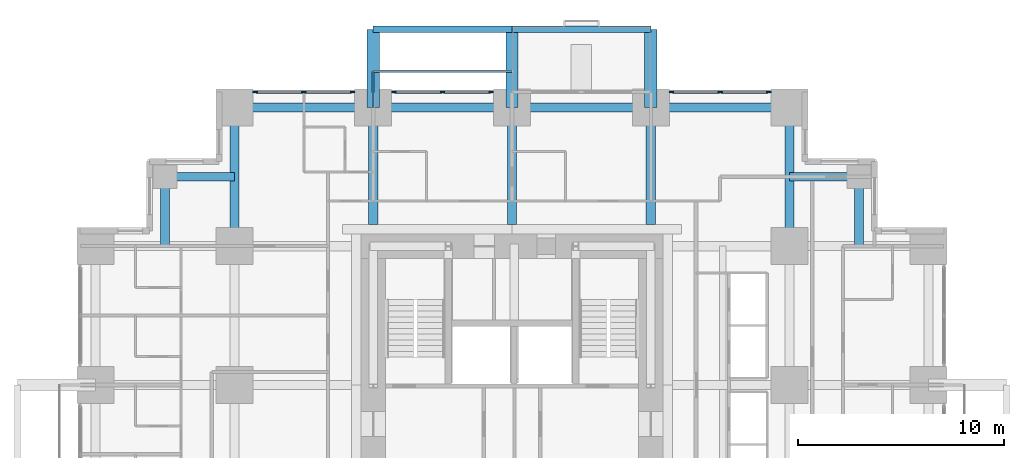
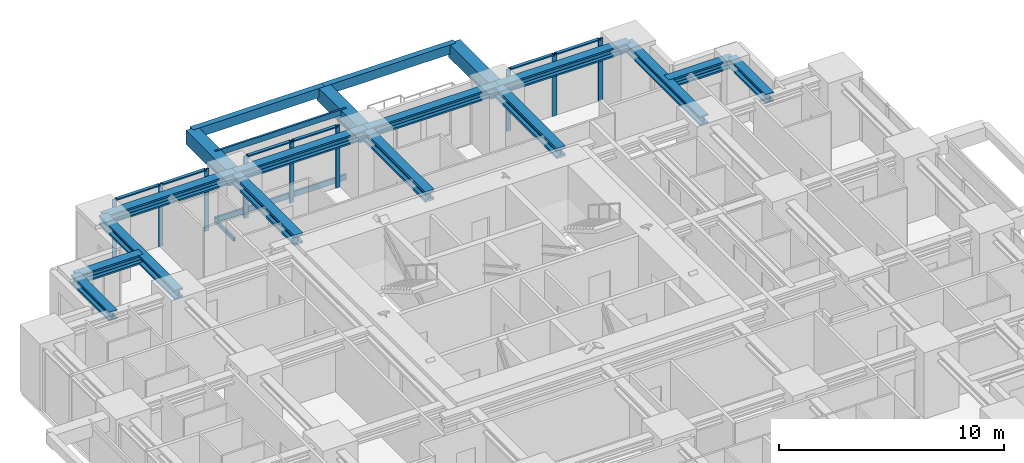
# One storey, part 5 of 13: 18 beams, 18 members, 3 elements without a shape of their own.
"""IFC4 building model written with IfcOpenShell, lengths in metres."""

from ifc_helpers import new_model, si_unit, direction, frame, origin, origin_2d, place, context, subcontext, project, spatial, rectangle, hollow_rectangle, i_section, extrude, material, material_profile, profile_set, type_object, element, aggregate, save


model = new_model("IFC4")

# Units and contexts
model_context = context("Model", 3, precision=1e-05, world=origin(), true_north=direction((0.0, 1.0)))
body_context = subcontext(model_context, "Body", "Model", "MODEL_VIEW")
ifc_project = project(units=[si_unit("LENGTHUNIT", "METRE"), si_unit("AREAUNIT", "SQUARE_METRE"), si_unit("VOLUMEUNIT", "CUBIC_METRE"), si_unit("PLANEANGLEUNIT", "RADIAN"), si_unit("MASSUNIT", "GRAM", prefix="KILO")], contexts=[model_context])

# Site, building, storey
site_placement = place(None, origin())
site = spatial("IfcSite", under=ifc_project, at=site_placement, CompositionType="ELEMENT")
building_placement = place(site_placement, origin())
building = spatial("IfcBuilding", under=site, at=building_placement, Name="Nyansa Garden Tower", CompositionType="ELEMENT")
storey_placement = place(building_placement, frame((0.0, 0.0, 105.300048828125)))
storey = spatial("IfcBuildingStorey", under=building, at=storey_placement, Name="L28", CompositionType="ELEMENT", Elevation=105.300048828125)

# Beams
ifc_material_1 = material(Name="Concrete C70/85", Category="concrete")
ifc_material_profile_1 = material_profile(ifc_material_1, rectangle(XDim=0.60009765625, YDim=0.75, at=origin_2d()), Name="RC 600x750")
ifc_profile_set_1 = profile_set([ifc_material_profile_1], Name="Concrete C70/85")
beam_type_1 = type_object("IfcBeamType", Name="Balcony cantilever beam CB1 RC 600x750", PredefinedType="BEAM", material=ifc_profile_set_1)
for number, where, z_axis, x_axis, name in (
    (1, (13.5, 33.75, 2.98486328125), (0.0, 1.0, 0.0), (-1.0, 0.0, 0.0), "Balcony cantilever beam L29"),
    (2, (20.25, 33.75, 2.98486328125), (0.0, 1.0, 0.0), (-1.0, 0.0, 0.0), "Balcony cantilever beam L29"),
    (3, (27.0, 33.75, 2.98486328125), (0.0, 1.0, 0.0), (-1.0, 0.0, 0.0), "Balcony cantilever beam L29"),
):
    element("IfcBeam", number, at=place(storey_placement, frame(where, z_axis=z_axis, x_axis=x_axis)), inside=storey, type_object=beam_type_1, Name=name, PredefinedType="BEAM", context=body_context, shape_type="SweptSolid", body=[
        extrude(rectangle(XDim=0.60009765625, YDim=0.75, at=origin_2d()), origin(), (0.0, 0.0, 1.0), 3.800048828125),
    ])
ifc_material_2 = material(Name="Concrete C70/85", Category="concrete")
ifc_material_profile_2 = material_profile(ifc_material_2, rectangle(XDim=0.300048828125, YDim=0.5, at=origin_2d()), Name="RC 300x500")
ifc_profile_set_2 = profile_set([ifc_material_profile_2], Name="Concrete C70/85")
beam_type_2 = type_object("IfcBeamType", Name="Balcony edge beam BE1 RC 300x500", PredefinedType="BEAM", material=ifc_profile_set_2)
for number, where, z_axis, x_axis, name in (
    (4, (13.5, 37.550048828125, 3.10986328125), (1.0, 0.0, 0.0), (0.0, 1.0, 0.0), "Balcony edge beam L29"),
    (5, (20.25, 37.550048828125, 3.10986328125), (1.0, 0.0, 0.0), (0.0, 1.0, 0.0), "Balcony edge beam L29"),
):
    element("IfcBeam", number, at=place(storey_placement, frame(where, z_axis=z_axis, x_axis=x_axis)), inside=storey, type_object=beam_type_2, Name=name, PredefinedType="BEAM", context=body_context, shape_type="SweptSolid", body=[
        extrude(rectangle(XDim=0.300048828125, YDim=0.5, at=origin_2d()), origin(), (0.0, 0.0, 1.0), 6.75),
    ])

# Curtain wall, members
ifc_material_3 = material(Name="Black anodised aluminium, dark tinted double glazing", Category="aluminium")
curtain_wall_type = type_object("IfcCurtainWallType", Name="Inner skin curtain wall ISW-B", PredefinedType="USERDEFINED", material=ifc_material_3)
curtain_wall_1_placement = place(storey_placement, origin())
curtain_wall_1 = element("IfcCurtainWall", 6, at=curtain_wall_1_placement, inside=storey, type_object=curtain_wall_type, Name="Inner skin curtain wall L28 N", ObjectType="UNITISED CURTAIN WALL", PredefinedType="USERDEFINED")
ifc_material_4 = material(Name="Black anodised aluminium", Category="aluminium")
ifc_material_profile_3 = material_profile(ifc_material_4, rectangle(XDim=0.06494140625, YDim=0.22509765625, at=origin_2d()), Name="Mullion 225x65")
ifc_profile_set_3 = profile_set([ifc_material_profile_3], Name="Black anodised aluminium")
member_type_1 = type_object("IfcMemberType", Name="Mullion ISW-B 225x65", PredefinedType="MULLION", material=ifc_profile_set_3)
member_1_placement = place(storey_placement, frame((19.237548828125, 34.5, 0.0), z_axis=(0.0, 0.0, 1.0), x_axis=(0.0, -1.0, 0.0)))
member_1 = element("IfcMember", 7, at=member_1_placement, type_object=member_type_1, Name="ISW-B mullion 1", PredefinedType="MULLION", context=body_context, shape_type="SweptSolid", body=[
    extrude(rectangle(XDim=0.06494140625, YDim=0.22509765625, at=origin_2d()), origin(), (0.0, 0.0, 1.0), 3.375),
])
member_2_placement = place(storey_placement, frame((16.875, 34.5, 0.0), z_axis=(0.0, 0.0, 1.0), x_axis=(0.0, -1.0, 0.0)))
member_2 = element("IfcMember", 8, at=member_2_placement, type_object=member_type_1, Name="ISW-B mullion 2", PredefinedType="MULLION", context=body_context, shape_type="SweptSolid", body=[
    extrude(rectangle(XDim=0.06494140625, YDim=0.22509765625, at=origin_2d()), origin(), (0.0, 0.0, 1.0), 3.375),
])
member_3_placement = place(storey_placement, frame((14.512451171875, 34.5, 0.0), z_axis=(0.0, 0.0, 1.0), x_axis=(0.0, -1.0, 0.0)))
member_3 = element("IfcMember", 9, at=member_3_placement, type_object=member_type_1, Name="ISW-B mullion 3", PredefinedType="MULLION", context=body_context, shape_type="SweptSolid", body=[
    extrude(rectangle(XDim=0.06494140625, YDim=0.22509765625, at=origin_2d()), origin(), (0.0, 0.0, 1.0), 3.375),
])

curtain_wall_2_placement = place(storey_placement, origin())
curtain_wall_2 = element("IfcCurtainWall", 10, at=curtain_wall_2_placement, inside=storey, type_object=curtain_wall_type, Name="Inner skin curtain wall L28 N", ObjectType="UNITISED CURTAIN WALL", PredefinedType="USERDEFINED")
member_4_placement = place(storey_placement, frame((12.487548828125, 34.5, 0.0), z_axis=(0.0, 0.0, 1.0), x_axis=(0.0, -1.0, 0.0)))
member_4 = element("IfcMember", 11, at=member_4_placement, type_object=member_type_1, Name="ISW-B mullion 1", PredefinedType="MULLION", context=body_context, shape_type="SweptSolid", body=[
    extrude(rectangle(XDim=0.06494140625, YDim=0.22509765625, at=origin_2d()), origin(), (0.0, 0.0, 1.0), 3.375),
])
member_5_placement = place(storey_placement, frame((10.125, 34.5, 0.0), z_axis=(0.0, 0.0, 1.0), x_axis=(0.0, -1.0, 0.0)))
member_5 = element("IfcMember", 12, at=member_5_placement, type_object=member_type_1, Name="ISW-B mullion 2", PredefinedType="MULLION", context=body_context, shape_type="SweptSolid", body=[
    extrude(rectangle(XDim=0.06494140625, YDim=0.22509765625, at=origin_2d()), origin(), (0.0, 0.0, 1.0), 3.375),
])
member_6_placement = place(storey_placement, frame((7.762451171875, 34.5, 0.0), z_axis=(0.0, 0.0, 1.0), x_axis=(0.0, -1.0, 0.0)))
member_6 = element("IfcMember", 13, at=member_6_placement, type_object=member_type_1, Name="ISW-B mullion 3", PredefinedType="MULLION", context=body_context, shape_type="SweptSolid", body=[
    extrude(rectangle(XDim=0.06494140625, YDim=0.22509765625, at=origin_2d()), origin(), (0.0, 0.0, 1.0), 3.375),
])

curtain_wall_3_placement = place(storey_placement, origin())
curtain_wall_3 = element("IfcCurtainWall", 14, at=curtain_wall_3_placement, inside=storey, type_object=curtain_wall_type, Name="Inner skin curtain wall L28 N", ObjectType="UNITISED CURTAIN WALL", PredefinedType="USERDEFINED")
member_7_placement = place(storey_placement, frame((32.737548828125, 34.5, 0.0), z_axis=(0.0, 0.0, 1.0), x_axis=(0.0, -1.0, 0.0)))
member_7 = element("IfcMember", 15, at=member_7_placement, type_object=member_type_1, Name="ISW-B mullion 1", PredefinedType="MULLION", context=body_context, shape_type="SweptSolid", body=[
    extrude(rectangle(XDim=0.06494140625, YDim=0.22509765625, at=origin_2d()), origin(), (0.0, 0.0, 1.0), 3.375),
])
member_8_placement = place(storey_placement, frame((30.375, 34.5, 0.0), z_axis=(0.0, 0.0, 1.0), x_axis=(0.0, -1.0, 0.0)))
member_8 = element("IfcMember", 16, at=member_8_placement, type_object=member_type_1, Name="ISW-B mullion 2", PredefinedType="MULLION", context=body_context, shape_type="SweptSolid", body=[
    extrude(rectangle(XDim=0.06494140625, YDim=0.22509765625, at=origin_2d()), origin(), (0.0, 0.0, 1.0), 3.375),
])
member_9_placement = place(storey_placement, frame((28.012451171875, 34.5, 0.0), z_axis=(0.0, 0.0, 1.0), x_axis=(0.0, -1.0, 0.0)))
member_9 = element("IfcMember", 17, at=member_9_placement, type_object=member_type_1, Name="ISW-B mullion 3", PredefinedType="MULLION", context=body_context, shape_type="SweptSolid", body=[
    extrude(rectangle(XDim=0.06494140625, YDim=0.22509765625, at=origin_2d()), origin(), (0.0, 0.0, 1.0), 3.375),
])

# Members
ifc_material_5 = material(Name="Steel S355, black powder coated", Category="steel")
ifc_material_profile_4 = material_profile(ifc_material_5, hollow_rectangle(XDim=0.10009765625, YDim=0.199951171875, WallThickness=0.008056640625, at=origin_2d()), Name="RHS 200x100x8")
ifc_profile_set_4 = profile_set([ifc_material_profile_4], Name="Steel S355, black powder coated")
member_type_2 = type_object("IfcMemberType", Name="Outer skin bracket arm RHS 200x100x8", PredefinedType="USERDEFINED", material=ifc_profile_set_4)
member_10_placement = place(storey_placement, frame((13.5, 33.75, -0.375), z_axis=(0.0, 1.0, 0.0), x_axis=(-1.0, 0.0, 0.0)))
element("IfcMember", 18, at=member_10_placement, inside=storey, type_object=member_type_2, Name="Outer skin bracket arm", ObjectType="OUTER SKIN BRACKET", PredefinedType="USERDEFINED", context=body_context, shape_type="SweptSolid", body=[
    extrude(hollow_rectangle(XDim=0.10009765625, YDim=0.199951171875, WallThickness=0.008056640625, at=origin_2d()), origin(), (0.0, 0.0, 1.0), 1.75),
])
ifc_material_6 = material(Name="Steel S355, black powder coated", Category="steel")
ifc_material_profile_5 = material_profile(ifc_material_6, hollow_rectangle(XDim=0.10009765625, YDim=0.300048828125, WallThickness=0.010009765625, at=origin_2d()), Name="RHS 300x100x10")
ifc_profile_set_5 = profile_set([ifc_material_profile_5], Name="Steel S355, black powder coated")
member_type_3 = type_object("IfcMemberType", Name="Outer skin rail RHS 300x100x10", PredefinedType="USERDEFINED", material=ifc_profile_set_5)
for number, where, z_axis, x_axis, name in (
    (19, (13.5, 35.5, -0.375), (1.0, 0.0, 0.0), (0.0, 1.0, 0.0), "Outer skin rail L28"),
    (20, (13.5, 35.5, 3.224853515625), (1.0, 0.0, 0.0), (0.0, 1.0, 0.0), "Outer skin rail L28 head"),
):
    element("IfcMember", number, at=place(storey_placement, frame(where, z_axis=z_axis, x_axis=x_axis)), inside=storey, type_object=member_type_3, Name=name, ObjectType="OUTER SKIN RAIL", PredefinedType="USERDEFINED", context=body_context, shape_type="SweptSolid", body=[
        extrude(hollow_rectangle(XDim=0.10009765625, YDim=0.300048828125, WallThickness=0.010009765625, at=origin_2d()), origin(), (0.0, 0.0, 1.0), 6.75),
    ])

# Beams
ifc_material_7 = material(Name="Steel S355", Category="steel")
ifc_material_profile_6 = material_profile(ifc_material_7, i_section(OverallWidth=0.431884765625, OverallDepth=0.498046875, WebThickness=0.0556640625, FlangeThickness=0.0888671875, FilletRadius=0.014892578125, at=origin_2d()), Name="HD 400x744")
ifc_profile_set_6 = profile_set([ifc_material_profile_6], Name="Steel S355")
beam_type_3 = type_object("IfcBeamType", Name="Steel beam SBB1-744 HD 400x744", PredefinedType="BEAM", material=ifc_profile_set_6)
for number, where, z_axis, x_axis, name in (
    (21, (6.75, 27.0, 3.1259765625), (0.0, 1.0, 0.0), (-1.0, 0.0, 0.0), "Steel beam 3/H-3/J L29"),
    (22, (33.75, 27.0, 3.1259765625), (0.0, 1.0, 0.0), (-1.0, 0.0, 0.0), "Steel beam 7/H-7/J L29"),
):
    element("IfcBeam", number, at=place(storey_placement, frame(where, z_axis=z_axis, x_axis=x_axis)), inside=storey, type_object=beam_type_3, Name=name, PredefinedType="BEAM", context=body_context, shape_type="SweptSolid", body=[
        extrude(i_section(OverallWidth=0.431884765625, OverallDepth=0.498046875, WebThickness=0.0556640625, FlangeThickness=0.0888671875, FilletRadius=0.014892578125, at=origin_2d()), origin(), (0.0, 0.0, 1.0), 6.75),
    ])
ifc_material_8 = material(Name="Steel S355", Category="steel")
ifc_material_profile_7 = material_profile(ifc_material_8, i_section(OverallWidth=0.4541015625, OverallDepth=0.569091796875, WebThickness=0.077880859375, FlangeThickness=0.125, FilletRadius=0.014892578125, at=origin_2d()), Name="HD 400x1086")
ifc_profile_set_7 = profile_set([ifc_material_profile_7], Name="Steel S355")
beam_type_4 = type_object("IfcBeamType", Name="Steel beam SCL-1086 HD 400x1086", PredefinedType="BEAM", material=ifc_profile_set_7)
for number, where, z_axis, x_axis, name in (
    (23, (13.5, 28.050048828125, 3.09033203125), (0.0, 1.0, 0.0), (-1.0, 0.0, 0.0), "Steel beam 4/28.050-4/J L29"),
    (24, (20.25, 28.050048828125, 3.09033203125), (0.0, 1.0, 0.0), (-1.0, 0.0, 0.0), "Steel beam 5/28.050-5/J L29"),
    (25, (27.0, 28.050048828125, 3.09033203125), (0.0, 1.0, 0.0), (-1.0, 0.0, 0.0), "Steel beam 6/28.050-6/J L29"),
):
    element("IfcBeam", number, at=place(storey_placement, frame(where, z_axis=z_axis, x_axis=x_axis)), inside=storey, type_object=beam_type_4, Name=name, PredefinedType="BEAM", context=body_context, shape_type="SweptSolid", body=[
        extrude(i_section(OverallWidth=0.4541015625, OverallDepth=0.569091796875, WebThickness=0.077880859375, FlangeThickness=0.125, FilletRadius=0.014892578125, at=origin_2d()), origin(), (0.0, 0.0, 1.0), 5.699951171875),
    ])
ifc_material_9 = material(Name="Steel S355", Category="steel")
ifc_material_profile_8 = material_profile(ifc_material_9, i_section(OverallWidth=0.431884765625, OverallDepth=0.498046875, WebThickness=0.0556640625, FlangeThickness=0.0888671875, FilletRadius=0.014892578125, at=origin_2d()), Name="HD 400x744")
ifc_profile_set_8 = profile_set([ifc_material_profile_8], Name="Steel S355")
beam_type_5 = type_object("IfcBeamType", Name="Steel beam SEBB-744 HD 400x744", PredefinedType="BEAM", material=ifc_profile_set_8)
for number, where, z_axis, x_axis, name in (
    (26, (6.75, 33.75, 3.1259765625), (1.0, 0.0, 0.0), (0.0, 1.0, 0.0), "Steel edge beam 3/J-4/J L29"),
    (27, (13.5, 33.75, 3.1259765625), (1.0, 0.0, 0.0), (0.0, 1.0, 0.0), "Steel edge beam 4/J-5/J L29"),
    (28, (20.25, 33.75, 3.1259765625), (1.0, 0.0, 0.0), (0.0, 1.0, 0.0), "Steel edge beam 5/J-6/J L29"),
    (29, (27.0, 33.75, 3.1259765625), (1.0, 0.0, 0.0), (0.0, 1.0, 0.0), "Steel edge beam 6/J-7/J L29"),
):
    element("IfcBeam", number, at=place(storey_placement, frame(where, z_axis=z_axis, x_axis=x_axis)), inside=storey, type_object=beam_type_5, Name=name, PredefinedType="BEAM", context=body_context, shape_type="SweptSolid", body=[
        extrude(i_section(OverallWidth=0.431884765625, OverallDepth=0.498046875, WebThickness=0.0556640625, FlangeThickness=0.0888671875, FilletRadius=0.014892578125, at=origin_2d()), origin(), (0.0, 0.0, 1.0), 6.75),
    ])
ifc_material_10 = material(Name="Steel S355", Category="steel")
ifc_material_profile_9 = material_profile(ifc_material_10, i_section(OverallWidth=0.431884765625, OverallDepth=0.498046875, WebThickness=0.0556640625, FlangeThickness=0.0888671875, FilletRadius=0.014892578125, at=origin_2d()), Name="HD 400x744")
ifc_profile_set_9 = profile_set([ifc_material_profile_9], Name="Steel S355")
beam_type_6 = type_object("IfcBeamType", Name="Steel beam SSB1-744 HD 400x744", PredefinedType="BEAM", material=ifc_profile_set_9)
for number, where, z_axis, x_axis, name in (
    (30, (37.125, 30.375, 3.1259765625), (0.0, -1.0, 0.0), (1.0, 0.0, 0.0), "Steel step beam 37.125/30.375 L29"),
    (31, (37.125, 30.375, 3.1259765625), (-1.0, 0.0, 0.0), (0.0, -1.0, 0.0), "Steel step beam 37.125/30.375 L29"),
    (32, (3.375, 30.375, 3.1259765625), (0.0, -1.0, 0.0), (1.0, 0.0, 0.0), "Steel step beam 3.375/30.375 L29"),
    (33, (3.375, 30.375, 3.1259765625), (1.0, 0.0, 0.0), (0.0, 1.0, 0.0), "Steel step beam 3.375/30.375 L29"),
):
    element("IfcBeam", number, at=place(storey_placement, frame(where, z_axis=z_axis, x_axis=x_axis)), inside=storey, type_object=beam_type_6, Name=name, PredefinedType="BEAM", context=body_context, shape_type="SweptSolid", body=[
        extrude(i_section(OverallWidth=0.431884765625, OverallDepth=0.498046875, WebThickness=0.0556640625, FlangeThickness=0.0888671875, FilletRadius=0.014892578125, at=origin_2d()), origin(), (0.0, 0.0, 1.0), 3.375),
    ])

# Member
ifc_material_11 = material(Name="Black anodised aluminium", Category="aluminium")
ifc_material_profile_10 = material_profile(ifc_material_11, rectangle(XDim=0.1650390625, YDim=0.06494140625, at=origin_2d()), Name="Transom 165x65")
ifc_profile_set_10 = profile_set([ifc_material_profile_10], Name="Black anodised aluminium")
member_type_4 = type_object("IfcMemberType", Name="Transom ISW-B 165x65", PredefinedType="USERDEFINED", material=ifc_profile_set_10)
member_11_placement = place(storey_placement, frame((19.205078125, 34.5, 3.342529296875), z_axis=(-1.0, 0.0, 0.0), x_axis=(0.0, -1.0, 0.0)))
member_11 = element("IfcMember", 34, at=member_11_placement, type_object=member_type_4, Name="ISW-B transom 1", ObjectType="TRANSOM", PredefinedType="USERDEFINED", context=body_context, shape_type="SweptSolid", body=[
    extrude(rectangle(XDim=0.1650390625, YDim=0.06494140625, at=origin_2d()), origin(), (0.0, 0.0, 1.0), 2.297607421875),
])

member_12_placement = place(storey_placement, frame((16.842529296875, 34.5, 3.342529296875), z_axis=(-1.0, 0.0, 0.0), x_axis=(0.0, -1.0, 0.0)))
member_12 = element("IfcMember", 35, at=member_12_placement, type_object=member_type_4, Name="ISW-B transom 2", ObjectType="TRANSOM", PredefinedType="USERDEFINED", context=body_context, shape_type="SweptSolid", body=[
    extrude(rectangle(XDim=0.1650390625, YDim=0.06494140625, at=origin_2d()), origin(), (0.0, 0.0, 1.0), 2.297607421875),
])

aggregate(curtain_wall_1, [member_1, member_2, member_3, member_11, member_12])

member_13_placement = place(storey_placement, frame((12.455078125, 34.5, 3.342529296875), z_axis=(-1.0, 0.0, 0.0), x_axis=(0.0, -1.0, 0.0)))
member_13 = element("IfcMember", 36, at=member_13_placement, type_object=member_type_4, Name="ISW-B transom 1", ObjectType="TRANSOM", PredefinedType="USERDEFINED", context=body_context, shape_type="SweptSolid", body=[
    extrude(rectangle(XDim=0.1650390625, YDim=0.06494140625, at=origin_2d()), origin(), (0.0, 0.0, 1.0), 2.297607421875),
])

member_14_placement = place(storey_placement, frame((10.092529296875, 34.5, 3.342529296875), z_axis=(-1.0, 0.0, 0.0), x_axis=(0.0, -1.0, 0.0)))
member_14 = element("IfcMember", 37, at=member_14_placement, type_object=member_type_4, Name="ISW-B transom 2", ObjectType="TRANSOM", PredefinedType="USERDEFINED", context=body_context, shape_type="SweptSolid", body=[
    extrude(rectangle(XDim=0.1650390625, YDim=0.06494140625, at=origin_2d()), origin(), (0.0, 0.0, 1.0), 2.297607421875),
])

aggregate(curtain_wall_2, [member_4, member_5, member_6, member_13, member_14])

member_15_placement = place(storey_placement, frame((32.705078125, 34.5, 3.342529296875), z_axis=(-1.0, 0.0, 0.0), x_axis=(0.0, -1.0, 0.0)))
member_15 = element("IfcMember", 38, at=member_15_placement, type_object=member_type_4, Name="ISW-B transom 1", ObjectType="TRANSOM", PredefinedType="USERDEFINED", context=body_context, shape_type="SweptSolid", body=[
    extrude(rectangle(XDim=0.1650390625, YDim=0.06494140625, at=origin_2d()), origin(), (0.0, 0.0, 1.0), 2.297607421875),
])

member_16_placement = place(storey_placement, frame((30.342529296875, 34.5, 3.342529296875), z_axis=(-1.0, 0.0, 0.0), x_axis=(0.0, -1.0, 0.0)))
member_16 = element("IfcMember", 39, at=member_16_placement, type_object=member_type_4, Name="ISW-B transom 2", ObjectType="TRANSOM", PredefinedType="USERDEFINED", context=body_context, shape_type="SweptSolid", body=[
    extrude(rectangle(XDim=0.1650390625, YDim=0.06494140625, at=origin_2d()), origin(), (0.0, 0.0, 1.0), 2.297607421875),
])

aggregate(curtain_wall_3, [member_7, member_8, member_9, member_15, member_16])

save(model, "model.ifc")
